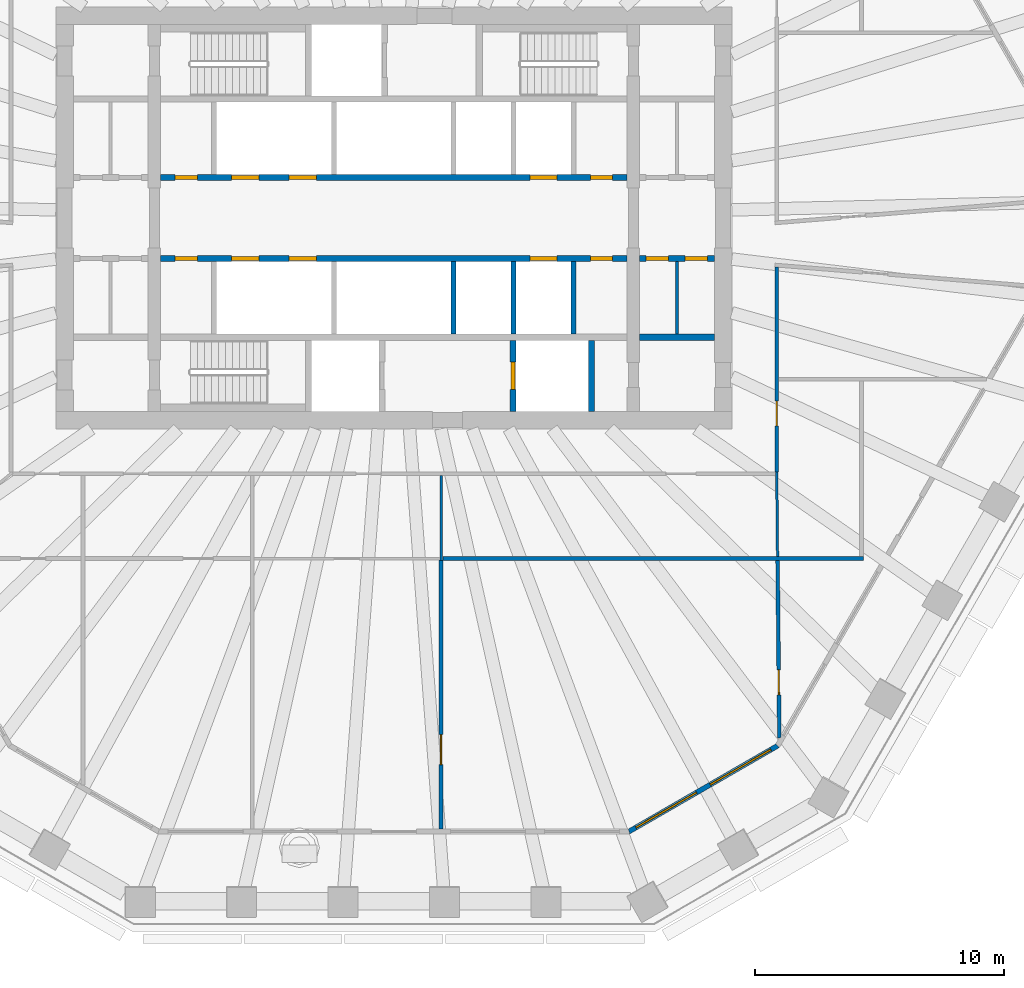
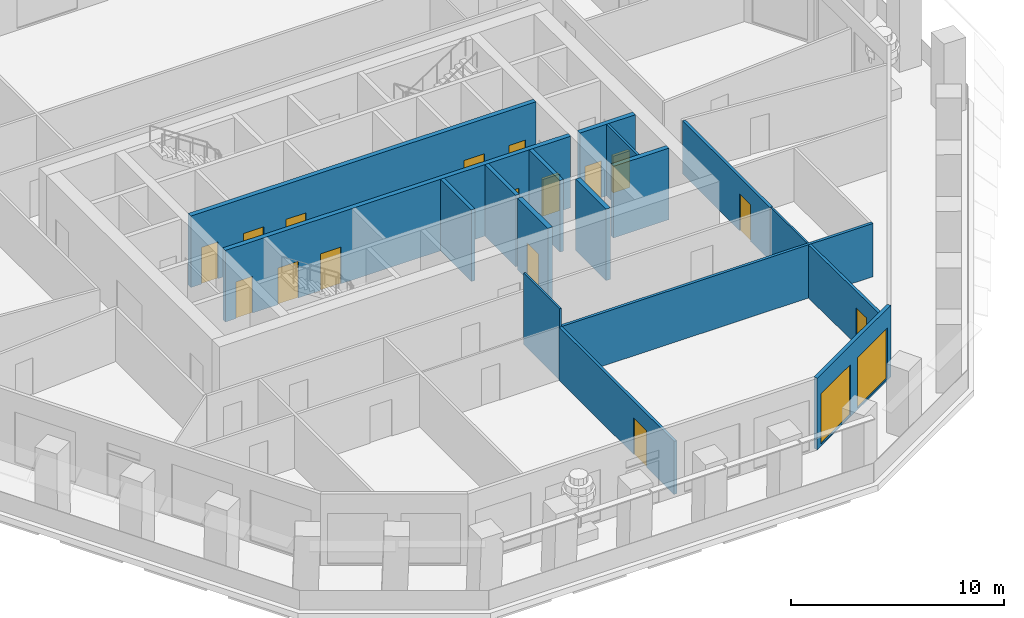
# One storey, part 5 of 13: 17 walls, 16 doors, 2 windows, 18 openings.
"""IFC4 building model written with IfcOpenShell, lengths in metres."""

from ifc_helpers import new_model, si_unit, direction, frame, frame_2d, origin, place, context, subcontext, project, spatial, polyline, rectangle, outline, extrude, material, layer, layer_set, type_object, element, fill, save


model = new_model("IFC4")

# Units and contexts
model_context = context("Model", 3, precision=1e-05, world=origin(), true_north=direction((0.0, 1.0)))
body_context = subcontext(model_context, "Body", "Model", "MODEL_VIEW")
ifc_project = project(units=[si_unit("LENGTHUNIT", "METRE"), si_unit("AREAUNIT", "SQUARE_METRE"), si_unit("VOLUMEUNIT", "CUBIC_METRE"), si_unit("PLANEANGLEUNIT", "RADIAN"), si_unit("MASSUNIT", "GRAM", prefix="KILO")], contexts=[model_context])

# Site, building, storey
site_placement = place(None, origin())
site = spatial("IfcSite", under=ifc_project, at=site_placement, CompositionType="ELEMENT")
building_placement = place(site_placement, origin())
building = spatial("IfcBuilding", under=site, at=building_placement, Name="Frailejon Research Tower", CompositionType="ELEMENT")
storey_placement = place(building_placement, frame((0.0, 0.0, 167.199951171875)))
storey = spatial("IfcBuildingStorey", under=building, at=storey_placement, Name="L36", CompositionType="ELEMENT", Elevation=167.199951171875)

# Wall
ifc_material_1 = material(Name="Plasterboard on steel studs", Category="steel")
ifc_layer_1 = layer(ifc_material_1, 0.125)
ifc_layer_set_1 = layer_set([ifc_layer_1], Name="Core partition 125")
wall_type_1 = type_object("IfcWallType", Name="Core partition 125", PredefinedType="PARTITIONING", material=ifc_layer_set_1)
wall_1_placement = place(storey_placement, frame((11.35009765625, -4.64990234375, 0.0), z_axis=(0.0, 0.0, 1.0), x_axis=(0.0, 1.0, 0.0)))
element("IfcWall", 1, at=wall_1_placement, inside=storey, type_object=wall_type_1, Name="Core partition", PredefinedType="PARTITIONING", context=body_context, shape_type="SweptSolid", body=[
    extrude(rectangle(XDim=2.89990234375, YDim=0.125, at=frame_2d((1.449951171875, 0.0))), origin(), (0.0, 0.0, 1.0), 4.10009765625),
])

# Wall, opening, door
ifc_material_2 = material(Name="Gypsum board and masonry partition", Category="masonry")
ifc_layer_2 = layer(ifc_material_2, 0.14990234375)
ifc_layer_set_2 = layer_set([ifc_layer_2], Name="Corridor wall EI 60, gypsum on steel studs 150")
wall_type_2 = type_object("IfcWallType", Name="Corridor wall EI 60, gypsum on steel studs 150", PredefinedType="PARTITIONING", material=ifc_layer_set_2)
wall_2_placement = place(storey_placement, frame((15.35009765625, -10.175048828125, 0.0), z_axis=(0.0, 0.0, 1.0), x_axis=(0.0, 1.0, 0.0)))
wall_2 = element("IfcWall", 2, at=wall_2_placement, inside=storey, type_object=wall_type_2, Name="T:IW:L36:001", PredefinedType="PARTITIONING", context=body_context, shape_type="SweptSolid", body=[
    extrude(rectangle(XDim=8.209228515625, YDim=0.14990234375, at=frame_2d((4.1044921875, 0.0))), origin(), (0.0, 0.0, 1.0), 3.050048828125),
])
opening_1_placement = place(wall_2_placement, frame((1.83984375, 0.0, 0.0)))
opening_1 = element("IfcOpeningElement", 3, at=opening_1_placement, cuts=wall_2, Name="Opening D1801", PredefinedType="OPENING", context=body_context, shape_type="SweptSolid", body=[
    extrude(rectangle(XDim=1.0, YDim=2.10009765625, at=frame_2d((0.5, 1.050048828125))), frame((0.0, 0.0849609375, 0.0), z_axis=(0.0, -1.0, 0.0), x_axis=(1.0, 0.0, 0.0)), (0.0, 0.0, 1.0), 0.169921875),
])
ifc_material_3 = material(Name="Timber door leaf", Category="wood")
door_type_1 = type_object("IfcDoorType", Name="Door single leaf, timber, steel frame 1000", OperationType="NOTDEFINED", PredefinedType="DOOR", material=ifc_material_3)
door_1_placement = place(opening_1_placement, origin())
door_1 = element("IfcDoor", 4, at=door_1_placement, inside=storey, type_object=door_type_1, Name="D1801", OperationType="SINGLE_SWING_RIGHT", OverallHeight=2.10009765625, OverallWidth=1.0, PredefinedType="DOOR", context=body_context, shape_type="SweptSolid", body=[
    extrude(rectangle(XDim=1.0, YDim=2.10009765625, at=frame_2d((0.5, 1.050048828125))), frame((0.0, 0.02490234375, 0.0), z_axis=(0.0, -1.0, 0.0), x_axis=(1.0, 0.0, 0.0)), (0.0, 0.0, 1.0), 0.050048828125),
])
fill(opening_1, door_1)

# Wall
ifc_material_4 = material(Name="Gypsum board and masonry partition", Category="masonry")
ifc_layer_3 = layer(ifc_material_4, 0.14990234375)
ifc_layer_set_3 = layer_set([ifc_layer_3], Name="Laboratory partition, blockwork 150")
wall_type_3 = type_object("IfcWallType", Name="Laboratory partition, blockwork 150", PredefinedType="PARTITIONING", material=ifc_layer_set_3)
wall_3_placement = place(storey_placement, frame((1.96630859375, -13.64990234375, 0.0), z_axis=(0.0, 0.0, 1.0), x_axis=(1.0, 0.0, 0.0)))
element("IfcWall", 5, at=wall_3_placement, inside=storey, type_object=wall_type_3, Name="T:IW:L36:023", PredefinedType="PARTITIONING", context=body_context, shape_type="SweptSolid", body=[
    extrude(rectangle(XDim=16.858642578125, YDim=0.14990234375, at=frame_2d((8.42919921875, 0.0))), origin(), (0.0, 0.0, 1.0), 3.050048828125),
])

# Wall, opening, door
wall_4_placement = place(storey_placement, frame((1.891357421875, -24.491455078125, 0.0), z_axis=(0.0, 0.0, 1.0), x_axis=(0.0, 1.0, 0.0)))
wall_4 = element("IfcWall", 6, at=wall_4_placement, inside=storey, type_object=wall_type_3, Name="T:IW:L36:027", PredefinedType="PARTITIONING", context=body_context, shape_type="SweptSolid", body=[
    extrude(rectangle(XDim=10.79150390625, YDim=0.14990234375, at=frame_2d((5.395751953125, 0.0))), origin(), (0.0, 0.0, 1.0), 3.050048828125),
])
opening_2_placement = place(wall_4_placement, frame((2.585205078125, 0.0, 0.0)))
opening_2 = element("IfcOpeningElement", 7, at=opening_2_placement, cuts=wall_4, Name="Opening D1798", PredefinedType="OPENING", context=body_context, shape_type="SweptSolid", body=[
    extrude(rectangle(XDim=1.199951171875, YDim=2.10009765625, at=frame_2d((0.60009765625, 1.050048828125))), frame((0.0, 0.0849609375, 0.0), z_axis=(0.0, -1.0, 0.0), x_axis=(1.0, 0.0, 0.0)), (0.0, 0.0, 1.0), 0.169921875),
])
ifc_material_5 = material(Name="Timber door leaf", Category="wood")
door_type_2 = type_object("IfcDoorType", Name="Door laboratory, timber, vision panel 1200", OperationType="NOTDEFINED", PredefinedType="DOOR", material=ifc_material_5)
door_2_placement = place(opening_2_placement, origin())
door_2 = element("IfcDoor", 8, at=door_2_placement, inside=storey, type_object=door_type_2, Name="D1798", OperationType="DOUBLE_DOOR_SINGLE_SWING", OverallHeight=2.10009765625, OverallWidth=1.199951171875, PredefinedType="DOOR", context=body_context, shape_type="SweptSolid", body=[
    extrude(rectangle(XDim=1.199951171875, YDim=2.10009765625, at=frame_2d((0.60009765625, 1.050048828125))), frame((0.0, 0.02490234375, 0.0), z_axis=(0.0, -1.0, 0.0), x_axis=(1.0, 0.0, 0.0)), (0.0, 0.0, 1.0), 0.050048828125),
])
fill(opening_2, door_2)

wall_5_placement = place(storey_placement, frame((15.3837890625, -13.72509765625, 0.0), z_axis=(0.0, 0.0, 1.0), x_axis=(0.009787291347, -0.999952103317, 0.0)))
wall_5 = element("IfcWall", 9, at=wall_5_placement, inside=storey, type_object=wall_type_3, Name="T:IW:L36:028", PredefinedType="PARTITIONING", context=body_context, shape_type="SweptSolid", body=[
    extrude(rectangle(XDim=7.109130859375, YDim=0.14990234375, at=frame_2d((3.5546875, 0.0))), origin(), (0.0, 0.0, 1.0), 3.050048828125),
])
opening_3_placement = place(wall_5_placement, frame((4.38818359375, 0.0, 0.0)))
opening_3 = element("IfcOpeningElement", 10, at=opening_3_placement, cuts=wall_5, Name="Opening D1800", PredefinedType="OPENING", context=body_context, shape_type="SweptSolid", body=[
    extrude(rectangle(XDim=1.0, YDim=2.10009765625, at=frame_2d((0.5, 1.050048828125))), frame((0.0, 0.0849609375, 0.0), z_axis=(0.0, -1.0, 0.0), x_axis=(1.0, 0.0, 0.0)), (0.0, 0.0, 1.0), 0.169921875),
])
ifc_material_6 = material(Name="Timber door leaf", Category="wood")
door_type_3 = type_object("IfcDoorType", Name="Door laboratory, timber, vision panel 1000", OperationType="NOTDEFINED", PredefinedType="DOOR", material=ifc_material_6)
door_3_placement = place(opening_3_placement, origin())
door_3 = element("IfcDoor", 11, at=door_3_placement, inside=storey, type_object=door_type_3, Name="D1800", OperationType="SINGLE_SWING_LEFT", OverallHeight=2.10009765625, OverallWidth=1.0, PredefinedType="DOOR", context=body_context, shape_type="SweptSolid", body=[
    extrude(rectangle(XDim=1.0, YDim=2.10009765625, at=frame_2d((0.5, 1.050048828125))), frame((0.0, 0.02490234375, 0.0), z_axis=(0.0, -1.0, 0.0), x_axis=(1.0, 0.0, 0.0)), (0.0, 0.0, 1.0), 0.050048828125),
])
fill(opening_3, door_3)

# Walls
ifc_material_7 = material(Name="Gypsum board and masonry partition", Category="masonry")
ifc_layer_4 = layer(ifc_material_7, 0.10009765625)
ifc_layer_set_4 = layer_set([ifc_layer_4], Name="Partition, gypsum on steel studs 100")
wall_type_4 = type_object("IfcWallType", Name="Partition, gypsum on steel studs 100", PredefinedType="PARTITIONING", material=ifc_layer_set_4)
wall_6_placement = place(storey_placement, frame((1.891357421875, -13.72509765625, 0.0), z_axis=(0.0, 0.0, 1.0), x_axis=(0.0, 1.0, 0.0)))
element("IfcWall", 12, at=wall_6_placement, inside=storey, type_object=wall_type_4, Name="T:IW:L36:034", PredefinedType="PARTITIONING", context=body_context, shape_type="SweptSolid", body=[
    extrude(rectangle(XDim=3.400146484375, YDim=0.10009765625, at=frame_2d((1.7001953125, 0.0))), origin(), (0.0, 0.0, 1.0), 4.10009765625),
])
wall_7_placement = place(storey_placement, frame((15.349365234375, -10.175048828125, 0.0), z_axis=(0.0, 0.0, 1.0), x_axis=(0.009765439832, -0.999952316956, 0.0)))
element("IfcWall", 13, at=wall_7_placement, inside=storey, type_object=wall_type_4, Name="T:IW:L36:035", PredefinedType="PARTITIONING", context=body_context, shape_type="SweptSolid", body=[
    extrude(rectangle(XDim=3.400146484375, YDim=0.10009765625, at=frame_2d((1.7001953125, 0.0))), origin(), (0.0, 0.0, 1.0), 3.050048828125),
])
ifc_material_8 = material(Name="Concrete C60/75", Category="concrete")
ifc_layer_5 = layer(ifc_material_8, 0.199951171875)
ifc_layer_set_5 = layer_set([ifc_layer_5], Name="Shaft wall 200 C60/75")
wall_type_5 = type_object("IfcWallType", Name="Shaft wall 200 C60/75", PredefinedType="SOLIDWALL", material=ifc_layer_set_5)
for number, where, z_axis, x_axis, name in (
    (14, (2.39990234375, -4.64990234375, 0.0), (0.0, 0.0, 1.0), (0.0, 1.0, 0.0), "Shaft wall"),
    (15, (4.800048828125, -4.64990234375, 0.0), (0.0, 0.0, 1.0), (0.0, 1.0, 0.0), "Shaft wall"),
    (16, (7.199951171875, -4.64990234375, 0.0), (0.0, 0.0, 1.0), (0.0, 1.0, 0.0), "Shaft wall"),
):
    element("IfcWall", number, at=place(storey_placement, frame(where, z_axis=z_axis, x_axis=x_axis)), inside=storey, type_object=wall_type_5, Name=name, PredefinedType="SOLIDWALL", context=body_context, shape_type="SweptSolid", body=[
        extrude(rectangle(XDim=2.89990234375, YDim=0.199951171875, at=frame_2d((1.449951171875, 0.0))), origin(), (0.0, 0.0, 1.0), 4.10009765625),
    ])

# Wall, openings, doors
ifc_material_9 = material(Name="Concrete C60/75", Category="concrete")
ifc_layer_6 = layer(ifc_material_9, 0.25)
ifc_layer_set_6 = layer_set([ifc_layer_6], Name="Shaft wall 250 C60/75")
wall_type_6 = type_object("IfcWallType", Name="Shaft wall 250 C60/75", PredefinedType="SOLIDWALL", material=ifc_layer_set_6)
wall_8_placement = place(storey_placement, frame((-9.35009765625, 1.625, 0.0), z_axis=(0.0, 0.0, 1.0), x_axis=(1.0, 0.0, 0.0)))
wall_8 = element("IfcWall", 17, at=wall_8_placement, inside=storey, type_object=wall_type_6, Name="Shaft wall", PredefinedType="SOLIDWALL", context=body_context, shape_type="SweptSolid", body=[
    extrude(rectangle(XDim=18.7001953125, YDim=0.25, at=frame_2d((9.35009765625, 0.0))), origin(), (0.0, 0.0, 1.0), 4.10009765625),
])
opening_4_placement = place(wall_8_placement, frame((2.85009765625, 0.0, 0.0)))
opening_4 = element("IfcOpeningElement", 18, at=opening_4_placement, cuts=wall_8, Name="Opening LD", PredefinedType="OPENING", context=body_context, shape_type="SweptSolid", body=[
    extrude(rectangle(XDim=1.10009765625, YDim=2.10009765625, at=frame_2d((0.550048828125, 1.050048828125))), frame((0.0, 0.135009765625, 0.0), z_axis=(0.0, -1.0, 0.0), x_axis=(1.0, 0.0, 0.0)), (0.0, 0.0, 1.0), 0.27001953125),
])
opening_5_placement = place(wall_8_placement, frame((5.14990234375, 0.0, 0.0)))
opening_5 = element("IfcOpeningElement", 19, at=opening_5_placement, cuts=wall_8, Name="Opening LD", PredefinedType="OPENING", context=body_context, shape_type="SweptSolid", body=[
    extrude(rectangle(XDim=1.10009765625, YDim=2.10009765625, at=frame_2d((0.550048828125, 1.050048828125))), frame((0.0, 0.135009765625, 0.0), z_axis=(0.0, -1.0, 0.0), x_axis=(1.0, 0.0, 0.0)), (0.0, 0.0, 1.0), 0.27001953125),
])
opening_6_placement = place(wall_8_placement, frame((14.800048828125, 0.0, 0.0)))
opening_6 = element("IfcOpeningElement", 20, at=opening_6_placement, cuts=wall_8, Name="Opening LD", PredefinedType="OPENING", context=body_context, shape_type="SweptSolid", body=[
    extrude(rectangle(XDim=1.10009765625, YDim=2.10009765625, at=frame_2d((0.550048828125, 1.050048828125))), frame((0.0, 0.135009765625, 0.0), z_axis=(0.0, -1.0, 0.0), x_axis=(1.0, 0.0, 0.0)), (0.0, 0.0, 1.0), 0.27001953125),
])
opening_7_placement = place(wall_8_placement, frame((0.574951171875, 0.0, 0.0)))
opening_7 = element("IfcOpeningElement", 21, at=opening_7_placement, cuts=wall_8, Name="Opening D8", PredefinedType="OPENING", context=body_context, shape_type="SweptSolid", body=[
    extrude(rectangle(XDim=0.89990234375, YDim=2.10009765625, at=frame_2d((0.449951171875, 1.050048828125))), frame((0.0, 0.135009765625, 0.0), z_axis=(0.0, -1.0, 0.0), x_axis=(1.0, 0.0, 0.0)), (0.0, 0.0, 1.0), 0.27001953125),
])
opening_8_placement = place(wall_8_placement, frame((17.22509765625, 0.0, 0.0)))
opening_8 = element("IfcOpeningElement", 22, at=opening_8_placement, cuts=wall_8, Name="Opening D8", PredefinedType="OPENING", context=body_context, shape_type="SweptSolid", body=[
    extrude(rectangle(XDim=0.89990234375, YDim=2.10009765625, at=frame_2d((0.449951171875, 1.050048828125))), frame((0.0, 0.135009765625, 0.0), z_axis=(0.0, -1.0, 0.0), x_axis=(1.0, 0.0, 0.0)), (0.0, 0.0, 1.0), 0.27001953125),
])
ifc_material_10 = material(Name="Steel", Category="steel")
door_type_4 = type_object("IfcDoorType", Name="Core room door", OperationType="SINGLE_SWING_LEFT", PredefinedType="DOOR", material=ifc_material_10)
door_4_placement = place(opening_7_placement, origin())
door_4 = element("IfcDoor", 23, at=door_4_placement, inside=storey, type_object=door_type_4, Name="Room door", OperationType="SINGLE_SWING_LEFT", OverallHeight=2.10009765625, OverallWidth=0.89990234375, PredefinedType="DOOR", context=body_context, shape_type="SweptSolid", body=[
    extrude(rectangle(XDim=0.89990234375, YDim=2.10009765625, at=frame_2d((0.449951171875, 1.050048828125))), frame((0.0, 0.074951171875, 0.0), z_axis=(0.0, -1.0, 0.0), x_axis=(1.0, 0.0, 0.0)), (0.0, 0.0, 1.0), 0.14990234375),
])
fill(opening_7, door_4)
door_5_placement = place(opening_8_placement, origin())
door_5 = element("IfcDoor", 24, at=door_5_placement, inside=storey, type_object=door_type_4, Name="Room door", OperationType="SINGLE_SWING_RIGHT", OverallHeight=2.10009765625, OverallWidth=0.89990234375, PredefinedType="DOOR", context=body_context, shape_type="SweptSolid", body=[
    extrude(rectangle(XDim=0.89990234375, YDim=2.10009765625, at=frame_2d((0.449951171875, 1.050048828125))), frame((0.0, 0.074951171875, 0.0), z_axis=(0.0, -1.0, 0.0), x_axis=(1.0, 0.0, 0.0)), (0.0, 0.0, 1.0), 0.14990234375),
])
fill(opening_8, door_5)
ifc_material_11 = material(Name="Steel", Category="steel")
door_type_5 = type_object("IfcDoorType", Name="Lift landing door", OperationType="DOUBLE_DOOR_SLIDING", PredefinedType="DOOR", material=ifc_material_11)
door_6_placement = place(opening_4_placement, origin())
door_6 = element("IfcDoor", 25, at=door_6_placement, inside=storey, type_object=door_type_5, Name="Lift landing door", OperationType="DOUBLE_DOOR_SLIDING", OverallHeight=2.10009765625, OverallWidth=1.10009765625, PredefinedType="DOOR", context=body_context, shape_type="SweptSolid", body=[
    extrude(rectangle(XDim=1.10009765625, YDim=2.10009765625, at=frame_2d((0.550048828125, 1.050048828125))), frame((0.0, 0.074951171875, 0.0), z_axis=(0.0, -1.0, 0.0), x_axis=(1.0, 0.0, 0.0)), (0.0, 0.0, 1.0), 0.14990234375),
])
fill(opening_4, door_6)
door_7_placement = place(opening_5_placement, origin())
door_7 = element("IfcDoor", 26, at=door_7_placement, inside=storey, type_object=door_type_5, Name="Lift landing door", OperationType="DOUBLE_DOOR_SLIDING", OverallHeight=2.10009765625, OverallWidth=1.10009765625, PredefinedType="DOOR", context=body_context, shape_type="SweptSolid", body=[
    extrude(rectangle(XDim=1.10009765625, YDim=2.10009765625, at=frame_2d((0.550048828125, 1.050048828125))), frame((0.0, 0.074951171875, 0.0), z_axis=(0.0, -1.0, 0.0), x_axis=(1.0, 0.0, 0.0)), (0.0, 0.0, 1.0), 0.14990234375),
])
fill(opening_5, door_7)
door_8_placement = place(opening_6_placement, origin())
door_8 = element("IfcDoor", 27, at=door_8_placement, inside=storey, type_object=door_type_5, Name="Lift landing door", OperationType="DOUBLE_DOOR_SLIDING", OverallHeight=2.10009765625, OverallWidth=1.10009765625, PredefinedType="DOOR", context=body_context, shape_type="SweptSolid", body=[
    extrude(rectangle(XDim=1.10009765625, YDim=2.10009765625, at=frame_2d((0.550048828125, 1.050048828125))), frame((0.0, 0.074951171875, 0.0), z_axis=(0.0, -1.0, 0.0), x_axis=(1.0, 0.0, 0.0)), (0.0, 0.0, 1.0), 0.14990234375),
])
fill(opening_6, door_8)

wall_9_placement = place(storey_placement, frame((-9.35009765625, -1.625, 0.0), z_axis=(0.0, 0.0, 1.0), x_axis=(1.0, 0.0, 0.0)))
wall_9 = element("IfcWall", 28, at=wall_9_placement, inside=storey, type_object=wall_type_6, Name="Shaft wall", PredefinedType="SOLIDWALL", context=body_context, shape_type="SweptSolid", body=[
    extrude(rectangle(XDim=18.7001953125, YDim=0.25, at=frame_2d((9.35009765625, 0.0))), origin(), (0.0, 0.0, 1.0), 4.10009765625),
])
opening_9_placement = place(wall_9_placement, frame((2.85009765625, 0.0, 0.0)))
opening_9 = element("IfcOpeningElement", 29, at=opening_9_placement, cuts=wall_9, Name="Opening LD", PredefinedType="OPENING", context=body_context, shape_type="SweptSolid", body=[
    extrude(rectangle(XDim=1.10009765625, YDim=2.10009765625, at=frame_2d((0.550048828125, 1.050048828125))), frame((0.0, 0.135009765625, 0.0), z_axis=(0.0, -1.0, 0.0), x_axis=(1.0, 0.0, 0.0)), (0.0, 0.0, 1.0), 0.27001953125),
])
opening_10_placement = place(wall_9_placement, frame((5.14990234375, 0.0, 0.0)))
opening_10 = element("IfcOpeningElement", 30, at=opening_10_placement, cuts=wall_9, Name="Opening LD", PredefinedType="OPENING", context=body_context, shape_type="SweptSolid", body=[
    extrude(rectangle(XDim=1.10009765625, YDim=2.10009765625, at=frame_2d((0.550048828125, 1.050048828125))), frame((0.0, 0.135009765625, 0.0), z_axis=(0.0, -1.0, 0.0), x_axis=(1.0, 0.0, 0.0)), (0.0, 0.0, 1.0), 0.27001953125),
])
opening_11_placement = place(wall_9_placement, frame((14.800048828125, 0.0, 0.0)))
opening_11 = element("IfcOpeningElement", 31, at=opening_11_placement, cuts=wall_9, Name="Opening LD", PredefinedType="OPENING", context=body_context, shape_type="SweptSolid", body=[
    extrude(rectangle(XDim=1.10009765625, YDim=2.10009765625, at=frame_2d((0.550048828125, 1.050048828125))), frame((0.0, 0.135009765625, 0.0), z_axis=(0.0, -1.0, 0.0), x_axis=(1.0, 0.0, 0.0)), (0.0, 0.0, 1.0), 0.27001953125),
])
opening_12_placement = place(wall_9_placement, frame((0.574951171875, 0.0, 0.0)))
opening_12 = element("IfcOpeningElement", 32, at=opening_12_placement, cuts=wall_9, Name="Opening D8", PredefinedType="OPENING", context=body_context, shape_type="SweptSolid", body=[
    extrude(rectangle(XDim=0.89990234375, YDim=2.10009765625, at=frame_2d((0.449951171875, 1.050048828125))), frame((0.0, 0.135009765625, 0.0), z_axis=(0.0, -1.0, 0.0), x_axis=(1.0, 0.0, 0.0)), (0.0, 0.0, 1.0), 0.27001953125),
])
opening_13_placement = place(wall_9_placement, frame((17.22509765625, 0.0, 0.0)))
opening_13 = element("IfcOpeningElement", 33, at=opening_13_placement, cuts=wall_9, Name="Opening D8", PredefinedType="OPENING", context=body_context, shape_type="SweptSolid", body=[
    extrude(rectangle(XDim=0.89990234375, YDim=2.10009765625, at=frame_2d((0.449951171875, 1.050048828125))), frame((0.0, 0.135009765625, 0.0), z_axis=(0.0, -1.0, 0.0), x_axis=(1.0, 0.0, 0.0)), (0.0, 0.0, 1.0), 0.27001953125),
])
door_9_placement = place(opening_12_placement, origin())
door_9 = element("IfcDoor", 34, at=door_9_placement, inside=storey, type_object=door_type_4, Name="Room door", OperationType="SINGLE_SWING_LEFT", OverallHeight=2.10009765625, OverallWidth=0.89990234375, PredefinedType="DOOR", context=body_context, shape_type="SweptSolid", body=[
    extrude(rectangle(XDim=0.89990234375, YDim=2.10009765625, at=frame_2d((0.449951171875, 1.050048828125))), frame((0.0, 0.074951171875, 0.0), z_axis=(0.0, -1.0, 0.0), x_axis=(1.0, 0.0, 0.0)), (0.0, 0.0, 1.0), 0.14990234375),
])
fill(opening_12, door_9)
door_10_placement = place(opening_13_placement, origin())
door_10 = element("IfcDoor", 35, at=door_10_placement, inside=storey, type_object=door_type_4, Name="Room door", OperationType="SINGLE_SWING_RIGHT", OverallHeight=2.10009765625, OverallWidth=0.89990234375, PredefinedType="DOOR", context=body_context, shape_type="SweptSolid", body=[
    extrude(rectangle(XDim=0.89990234375, YDim=2.10009765625, at=frame_2d((0.449951171875, 1.050048828125))), frame((0.0, 0.074951171875, 0.0), z_axis=(0.0, -1.0, 0.0), x_axis=(1.0, 0.0, 0.0)), (0.0, 0.0, 1.0), 0.14990234375),
])
fill(opening_13, door_10)
door_11_placement = place(opening_9_placement, origin())
door_11 = element("IfcDoor", 36, at=door_11_placement, inside=storey, type_object=door_type_5, Name="Lift landing door", OperationType="DOUBLE_DOOR_SLIDING", OverallHeight=2.10009765625, OverallWidth=1.10009765625, PredefinedType="DOOR", context=body_context, shape_type="SweptSolid", body=[
    extrude(rectangle(XDim=1.10009765625, YDim=2.10009765625, at=frame_2d((0.550048828125, 1.050048828125))), frame((0.0, 0.074951171875, 0.0), z_axis=(0.0, -1.0, 0.0), x_axis=(1.0, 0.0, 0.0)), (0.0, 0.0, 1.0), 0.14990234375),
])
fill(opening_9, door_11)
door_12_placement = place(opening_10_placement, origin())
door_12 = element("IfcDoor", 37, at=door_12_placement, inside=storey, type_object=door_type_5, Name="Lift landing door", OperationType="DOUBLE_DOOR_SLIDING", OverallHeight=2.10009765625, OverallWidth=1.10009765625, PredefinedType="DOOR", context=body_context, shape_type="SweptSolid", body=[
    extrude(rectangle(XDim=1.10009765625, YDim=2.10009765625, at=frame_2d((0.550048828125, 1.050048828125))), frame((0.0, 0.074951171875, 0.0), z_axis=(0.0, -1.0, 0.0), x_axis=(1.0, 0.0, 0.0)), (0.0, 0.0, 1.0), 0.14990234375),
])
fill(opening_10, door_12)
door_13_placement = place(opening_11_placement, origin())
door_13 = element("IfcDoor", 38, at=door_13_placement, inside=storey, type_object=door_type_5, Name="Lift landing door", OperationType="DOUBLE_DOOR_SLIDING", OverallHeight=2.10009765625, OverallWidth=1.10009765625, PredefinedType="DOOR", context=body_context, shape_type="SweptSolid", body=[
    extrude(rectangle(XDim=1.10009765625, YDim=2.10009765625, at=frame_2d((0.550048828125, 1.050048828125))), frame((0.0, 0.074951171875, 0.0), z_axis=(0.0, -1.0, 0.0), x_axis=(1.0, 0.0, 0.0)), (0.0, 0.0, 1.0), 0.14990234375),
])
fill(opening_11, door_13)

wall_10_placement = place(storey_placement, frame((9.85009765625, -1.625, 0.0), z_axis=(0.0, 0.0, 1.0), x_axis=(1.0, 0.0, 0.0)))
wall_10 = element("IfcWall", 39, at=wall_10_placement, inside=storey, type_object=wall_type_6, Name="Shaft wall", PredefinedType="SOLIDWALL", context=body_context, shape_type="SweptSolid", body=[
    extrude(rectangle(XDim=3.0, YDim=0.25, at=frame_2d((1.5, 0.0))), origin(), (0.0, 0.0, 1.0), 4.10009765625),
])
opening_14_placement = place(wall_10_placement, frame((0.268798828125, 0.0, 0.0)))
opening_14 = element("IfcOpeningElement", 40, at=opening_14_placement, cuts=wall_10, Name="Opening D8", PredefinedType="OPENING", context=body_context, shape_type="SweptSolid", body=[
    extrude(rectangle(XDim=0.89990234375, YDim=2.10009765625, at=frame_2d((0.449951171875, 1.050048828125))), frame((0.0, 0.135009765625, 0.0), z_axis=(0.0, -1.0, 0.0), x_axis=(1.0, 0.0, 0.0)), (0.0, 0.0, 1.0), 0.27001953125),
])
opening_15_placement = place(wall_10_placement, frame((1.831298828125, 0.0, 0.0)))
opening_15 = element("IfcOpeningElement", 41, at=opening_15_placement, cuts=wall_10, Name="Opening D8", PredefinedType="OPENING", context=body_context, shape_type="SweptSolid", body=[
    extrude(rectangle(XDim=0.89990234375, YDim=2.10009765625, at=frame_2d((0.449951171875, 1.050048828125))), frame((0.0, 0.135009765625, 0.0), z_axis=(0.0, -1.0, 0.0), x_axis=(1.0, 0.0, 0.0)), (0.0, 0.0, 1.0), 0.27001953125),
])
door_14_placement = place(opening_14_placement, origin())
door_14 = element("IfcDoor", 42, at=door_14_placement, inside=storey, type_object=door_type_4, Name="Room door", OperationType="SINGLE_SWING_LEFT", OverallHeight=2.10009765625, OverallWidth=0.89990234375, PredefinedType="DOOR", context=body_context, shape_type="SweptSolid", body=[
    extrude(rectangle(XDim=0.89990234375, YDim=2.10009765625, at=frame_2d((0.449951171875, 1.050048828125))), frame((0.0, 0.074951171875, 0.0), z_axis=(0.0, -1.0, 0.0), x_axis=(1.0, 0.0, 0.0)), (0.0, 0.0, 1.0), 0.14990234375),
])
fill(opening_14, door_14)
door_15_placement = place(opening_15_placement, origin())
door_15 = element("IfcDoor", 43, at=door_15_placement, inside=storey, type_object=door_type_4, Name="Room door", OperationType="SINGLE_SWING_RIGHT", OverallHeight=2.10009765625, OverallWidth=0.89990234375, PredefinedType="DOOR", context=body_context, shape_type="SweptSolid", body=[
    extrude(rectangle(XDim=0.89990234375, YDim=2.10009765625, at=frame_2d((0.449951171875, 1.050048828125))), frame((0.0, 0.074951171875, 0.0), z_axis=(0.0, -1.0, 0.0), x_axis=(1.0, 0.0, 0.0)), (0.0, 0.0, 1.0), 0.14990234375),
])
fill(opening_15, door_15)

# Wall
wall_11_placement = place(storey_placement, frame((9.85009765625, -4.77490234375, 0.0), z_axis=(0.0, 0.0, 1.0), x_axis=(1.0, 0.0, 0.0)))
element("IfcWall", 44, at=wall_11_placement, inside=storey, type_object=wall_type_6, Name="Shaft wall", PredefinedType="SOLIDWALL", context=body_context, shape_type="SweptSolid", body=[
    extrude(rectangle(XDim=3.0, YDim=0.25, at=frame_2d((1.5, 0.0))), origin(), (0.0, 0.0, 1.0), 4.10009765625),
])

# Wall, opening, door
wall_12_placement = place(storey_placement, frame((4.77490234375, -7.75, 0.0), z_axis=(0.0, 0.0, 1.0), x_axis=(0.0, 1.0, 0.0)))
wall_12 = element("IfcWall", 45, at=wall_12_placement, inside=storey, type_object=wall_type_6, Name="Shaft wall", PredefinedType="SOLIDWALL", context=body_context, shape_type="SweptSolid", body=[
    extrude(rectangle(XDim=2.85009765625, YDim=0.25, at=frame_2d((1.425048828125, 0.0))), origin(), (0.0, 0.0, 1.0), 4.10009765625),
])
opening_16_placement = place(wall_12_placement, frame((0.875, 0.0, 0.0)))
opening_16 = element("IfcOpeningElement", 46, at=opening_16_placement, cuts=wall_12, Name="Opening LD", PredefinedType="OPENING", context=body_context, shape_type="SweptSolid", body=[
    extrude(rectangle(XDim=1.10009765625, YDim=2.10009765625, at=frame_2d((0.550048828125, 1.050048828125))), frame((0.0, 0.135009765625, 0.0), z_axis=(0.0, -1.0, 0.0), x_axis=(1.0, 0.0, 0.0)), (0.0, 0.0, 1.0), 0.27001953125),
])
door_16_placement = place(opening_16_placement, origin())
door_16 = element("IfcDoor", 47, at=door_16_placement, inside=storey, type_object=door_type_5, Name="Lift landing door", OperationType="DOUBLE_DOOR_SLIDING", OverallHeight=2.10009765625, OverallWidth=1.10009765625, PredefinedType="DOOR", context=body_context, shape_type="SweptSolid", body=[
    extrude(rectangle(XDim=1.10009765625, YDim=2.10009765625, at=frame_2d((0.550048828125, 1.050048828125))), frame((0.0, 0.074951171875, 0.0), z_axis=(0.0, -1.0, 0.0), x_axis=(1.0, 0.0, 0.0)), (0.0, 0.0, 1.0), 0.14990234375),
])
fill(opening_16, door_16)

# Wall
wall_13_placement = place(storey_placement, frame((7.925048828125, -7.75, 0.0), z_axis=(0.0, 0.0, 1.0), x_axis=(0.0, 1.0, 0.0)))
element("IfcWall", 48, at=wall_13_placement, inside=storey, type_object=wall_type_6, Name="Shaft wall", PredefinedType="SOLIDWALL", context=body_context, shape_type="SweptSolid", body=[
    extrude(rectangle(XDim=2.85009765625, YDim=0.25, at=frame_2d((1.425048828125, 0.0))), origin(), (0.0, 0.0, 1.0), 4.10009765625),
])

# Wall, openings, windows
ifc_material_12 = material(Name="Concrete C40/50 precast window wall panel", Category="concrete")
ifc_layer_7 = layer(ifc_material_12, 0.199951171875)
ifc_layer_set_7 = layer_set([ifc_layer_7], Name="Window wall 200")
wall_type_7 = type_object("IfcWallType", Name="Window wall 200", PredefinedType="SOLIDWALL", material=ifc_layer_set_7)
wall_14_placement = place(storey_placement, frame((9.430419921875, -24.59130859375, 0.0), z_axis=(0.0, 0.0, 1.0), x_axis=(0.866029458321, 0.49999297727, 0.0)))
wall_14 = element("IfcWall", 49, at=wall_14_placement, inside=storey, type_object=wall_type_7, Name="Exterior wall L36", PredefinedType="SOLIDWALL", context=body_context, shape_type="SweptSolid", body=[
    extrude(outline(polyline([(-0.02685546875, -0.10009765625), (1.1279296875, -0.10009765625), (2.282470703125, -0.10009765625), (3.437255859375, -0.10009765625), (4.592041015625, -0.10009765625), (5.74658203125, -0.10009765625), (6.9013671875, -0.10009765625), (6.84765625, 0.10009765625), (5.7109375, 0.10009765625), (4.573974609375, 0.10009765625), (3.437255859375, 0.10009765625), (2.300537109375, 0.10009765625), (1.16357421875, 0.10009765625), (0.02685546875, 0.10009765625), (-0.02685546875, -0.10009765625)])), origin(), (0.0, 0.0, 1.0), 4.10009765625),
])
opening_17_placement = place(wall_14_placement, frame((0.318603515625, 0.0, 0.10009765625)))
opening_17 = element("IfcOpeningElement", 50, at=opening_17_placement, cuts=wall_14, Name="Opening W3", PredefinedType="OPENING", context=body_context, shape_type="SweptSolid", body=[
    extrude(rectangle(XDim=2.800048828125, YDim=2.89990234375, at=frame_2d((1.39990234375, 1.449951171875))), frame((0.0, 0.10986328125, 0.0), z_axis=(0.0, -1.0, 0.0), x_axis=(1.0, 0.0, 0.0)), (0.0, 0.0, 1.0), 0.219970703125),
])
opening_18_placement = place(wall_14_placement, frame((3.756103515625, 0.0, 0.10009765625)))
opening_18 = element("IfcOpeningElement", 51, at=opening_18_placement, cuts=wall_14, Name="Opening W3", PredefinedType="OPENING", context=body_context, shape_type="SweptSolid", body=[
    extrude(rectangle(XDim=2.800048828125, YDim=2.89990234375, at=frame_2d((1.39990234375, 1.449951171875))), frame((0.0, 0.10986328125, 0.0), z_axis=(0.0, -1.0, 0.0), x_axis=(1.0, 0.0, 0.0)), (0.0, 0.0, 1.0), 0.219970703125),
])
ifc_material_13 = material(Name="Aluminium framed double glazing", Category="aluminium")
window_type = type_object("IfcWindowType", Name="Window 2800x2900", PartitioningType="SINGLE_PANEL", PredefinedType="WINDOW", material=ifc_material_13)
window_1_placement = place(opening_17_placement, origin())
window_1 = element("IfcWindow", 52, at=window_1_placement, inside=storey, type_object=window_type, Name="Window L36", OverallHeight=2.89990234375, OverallWidth=2.800048828125, PartitioningType="SINGLE_PANEL", PredefinedType="WINDOW", context=body_context, shape_type="SweptSolid", body=[
    extrude(rectangle(XDim=2.800048828125, YDim=2.89990234375, at=frame_2d((1.39990234375, 1.449951171875))), frame((0.0, 0.030029296875, 0.0), z_axis=(0.0, -1.0, 0.0), x_axis=(1.0, 0.0, 0.0)), (0.0, 0.0, 1.0), 0.06005859375),
])
fill(opening_17, window_1)
window_2_placement = place(opening_18_placement, origin())
window_2 = element("IfcWindow", 53, at=window_2_placement, inside=storey, type_object=window_type, Name="Window L36", OverallHeight=2.89990234375, OverallWidth=2.800048828125, PartitioningType="SINGLE_PANEL", PredefinedType="WINDOW", context=body_context, shape_type="SweptSolid", body=[
    extrude(rectangle(XDim=2.800048828125, YDim=2.89990234375, at=frame_2d((1.39990234375, 1.449951171875))), frame((0.0, 0.030029296875, 0.0), z_axis=(0.0, -1.0, 0.0), x_axis=(1.0, 0.0, 0.0)), (0.0, 0.0, 1.0), 0.06005859375),
])
fill(opening_18, window_2)

save(model, "model.ifc")
